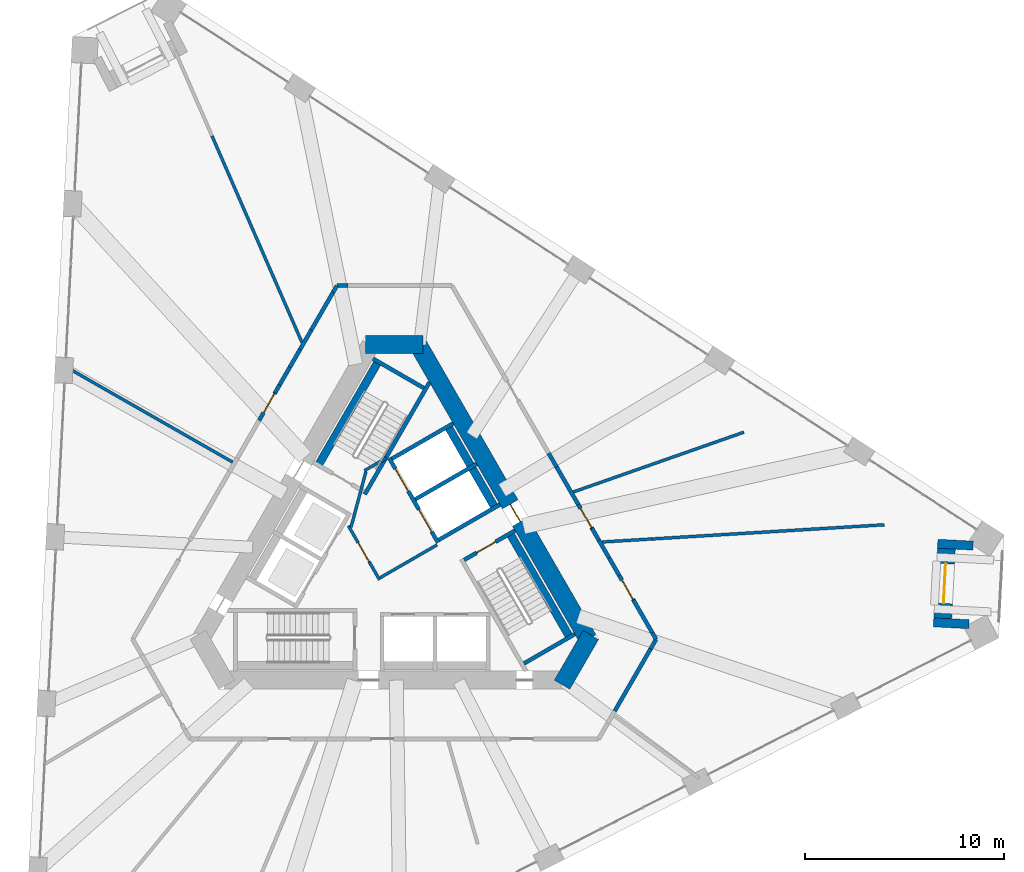
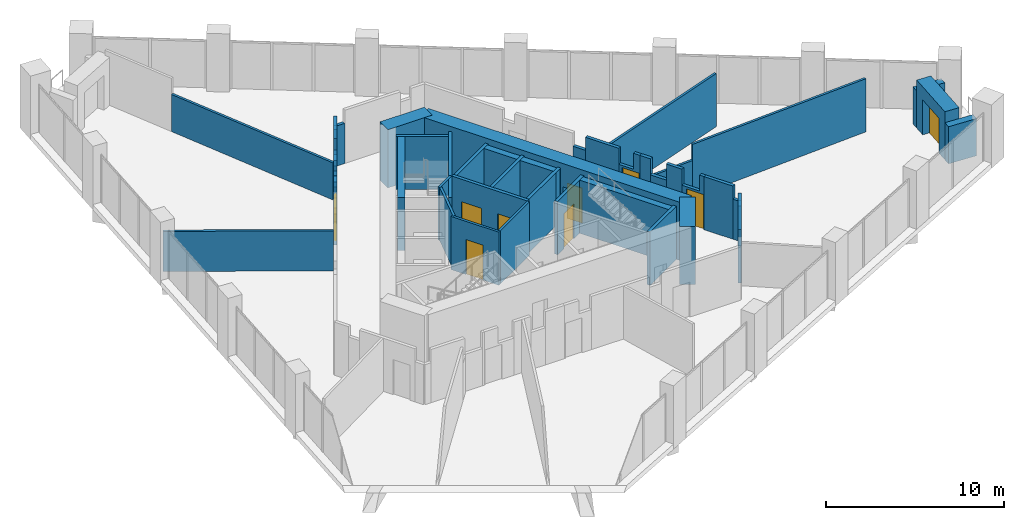
# One storey, part 13 of 18: 45 walls, 9 doors, 9 openings.
"""IFC4 building model written with IfcOpenShell, lengths in metres."""

from ifc_helpers import new_model, si_unit, direction, frame, frame_2d, origin, place, context, subcontext, project, spatial, polyline, rectangle, outline, extrude, material, layer, layer_set, type_object, element, fill, save


model = new_model("IFC4")

# Units and contexts
model_context = context("Model", 3, precision=1e-05, world=origin(), true_north=direction((0.0, 1.0)))
body_context = subcontext(model_context, "Body", "Model", "MODEL_VIEW")
ifc_project = project(units=[si_unit("LENGTHUNIT", "METRE"), si_unit("AREAUNIT", "SQUARE_METRE"), si_unit("VOLUMEUNIT", "CUBIC_METRE"), si_unit("PLANEANGLEUNIT", "RADIAN"), si_unit("MASSUNIT", "GRAM", prefix="KILO")], contexts=[model_context])

# Site, building, storey
site_placement = place(None, origin())
site = spatial("IfcSite", under=ifc_project, at=site_placement, CompositionType="ELEMENT")
building_placement = place(site_placement, origin())
building = spatial("IfcBuilding", under=site, at=building_placement, Name="Tramontana Tower", CompositionType="ELEMENT")
storey_placement = place(building_placement, frame((0.0, 0.0, 125.60009765625)))
storey = spatial("IfcBuildingStorey", under=building, at=storey_placement, Name="L28", CompositionType="ELEMENT", Elevation=125.60009765625)

# Walls
ifc_material_1 = material(Name="Concrete 70 MPa", Category="concrete")
ifc_layer_1 = layer(ifc_material_1, 0.89990234375)
ifc_layer_set_1 = layer_set([ifc_layer_1], Name="Core wall 900 70 MPa")
wall_type_1 = type_object("IfcWallType", Name="Core wall 900 70 MPa", PredefinedType="SHEAR", material=ifc_layer_set_1)
wall_1_placement = place(storey_placement, frame((1.443359375, 10.550048828125, 0.0), z_axis=(0.0, 0.0, 1.0), x_axis=(-1.0, 0.0, 0.0)))
element("IfcWall", 1, at=wall_1_placement, inside=storey, type_object=wall_type_1, Name="Core wall C0 L28", PredefinedType="SHEAR", context=body_context, shape_type="SweptSolid", body=[
    extrude(rectangle(XDim=2.88671875, YDim=0.89990234375, at=frame_2d((1.443359375, 0.0))), origin(), (0.0, 0.0, 1.0), 4.0),
])
wall_2_placement = place(storey_placement, frame((8.414794921875, -6.52490234375, 0.0), z_axis=(0.0, 0.0, 1.0), x_axis=(0.500059191753, 0.865991226713, 0.0)))
element("IfcWall", 2, at=wall_2_placement, inside=storey, type_object=wall_type_1, Name="Core wall C4 L28", PredefinedType="SHEAR", context=body_context, shape_type="SweptSolid", body=[
    extrude(rectangle(XDim=2.886962890625, YDim=0.89990234375, at=frame_2d((1.443359375, 0.0))), origin(), (0.0, 0.0, 1.0), 4.0),
])

# Wall, opening, door
wall_3_placement = place(storey_placement, frame((9.728515625, -4.25, 0.0), z_axis=(0.0, 0.0, 1.0), x_axis=(-0.500004814304, 0.866022624227, 0.0)))
wall_3 = element("IfcWall", 3, at=wall_3_placement, inside=storey, type_object=wall_type_1, Name="Core wall C5 L28", PredefinedType="SHEAR", context=body_context, shape_type="SweptSolid", body=[
    extrude(rectangle(XDim=17.089599609375, YDim=0.89990234375, at=frame_2d((8.544921875, 0.0))), origin(), (0.0, 0.0, 1.0), 4.0),
])
opening_1_placement = place(wall_3_placement, frame((6.81982421875, 0.0, 0.0)))
opening_1 = element("IfcOpeningElement", 4, at=opening_1_placement, cuts=wall_3, Name="Opening RG3", PredefinedType="OPENING", context=body_context, shape_type="SweptSolid", body=[
    extrude(rectangle(XDim=1.0, YDim=2.39990234375, at=frame_2d((0.5, 1.199951171875))), frame((0.0, 0.4599609375, 0.0), z_axis=(0.0, -1.0, 0.0), x_axis=(1.0, 0.0, 0.0)), (0.0, 0.0, 1.0), 0.919921875),
])
ifc_material_2 = material(Name="Painted steel", Category="steel")
door_type_1 = type_object("IfcDoorType", Name="RING DOOR 1000", OperationType="SINGLE_SWING_LEFT", PredefinedType="DOOR", material=ifc_material_2)
door_1_placement = place(opening_1_placement, origin())
door_1 = element("IfcDoor", 5, at=door_1_placement, inside=storey, type_object=door_type_1, Name="Door RG3", OperationType="SINGLE_SWING_RIGHT", OverallHeight=2.39990234375, OverallWidth=1.0, PredefinedType="DOOR", context=body_context, shape_type="SweptSolid", body=[
    extrude(rectangle(XDim=1.0, YDim=2.39990234375, at=frame_2d((0.5, 1.199951171875))), frame((0.0, 0.02490234375, 0.0), z_axis=(0.0, -1.0, 0.0), x_axis=(1.0, 0.0, 0.0)), (0.0, 0.0, 1.0), 0.050048828125),
])
fill(opening_1, door_1)

# Walls
ifc_material_3 = material(Name="Blockwork", Category="masonry")
ifc_layer_2 = layer(ifc_material_3, 0.199951171875)
ifc_layer_set_2 = layer_set([ifc_layer_2], Name="ENTRY WALL 200")
wall_type_2 = type_object("IfcWallType", Name="ENTRY WALL 200", PredefinedType="SOLIDWALL", material=ifc_layer_set_2)
wall_4_placement = place(storey_placement, frame((7.7421875, 5.090087890625, 0.0), z_axis=(0.0, 0.0, 1.0), x_axis=(0.500109828528, -0.865961984968, 0.0)))
element("IfcWall", 6, at=wall_4_placement, inside=storey, type_object=wall_type_2, Name="Wall ew0-3", PredefinedType="SOLIDWALL", context=body_context, shape_type="SweptSolid", body=[
    extrude(rectangle(XDim=0.800048828125, YDim=0.199951171875, at=frame_2d((0.39990234375, 0.0))), origin(), (0.0, 0.0, 1.0), 2.75),
])
wall_5_placement = place(storey_placement, frame((8.142333984375, 4.397216796875, 0.0), z_axis=(0.0, 0.0, 1.0), x_axis=(0.499948868167, -0.866054922749, 0.0)))
element("IfcWall", 7, at=wall_5_placement, inside=storey, type_object=wall_type_2, Name="Wall ew0-4", PredefinedType="SOLIDWALL", context=body_context, shape_type="SweptSolid", body=[
    extrude(rectangle(XDim=2.177978515625, YDim=0.199951171875, at=frame_2d((1.0888671875, 0.0))), origin(), (0.0, 0.0, 1.0), 3.64990234375),
])

# Wall, opening, door
wall_6_placement = place(storey_placement, frame((9.231201171875, 2.510986328125, 0.0), z_axis=(0.0, 0.0, 1.0), x_axis=(0.49998419723, -0.866034527326, 0.0)))
wall_6 = element("IfcWall", 8, at=wall_6_placement, inside=storey, type_object=wall_type_2, Name="Wall ew0-5", PredefinedType="SOLIDWALL", context=body_context, shape_type="SweptSolid", body=[
    extrude(outline(polyline([(0.0, 0.0), (1.37255859375, 0.0), (1.37255859375, 3.64990234375), (0.943603515625, 3.64990234375), (0.943603515625, 2.5498046875), (0.0, 2.5498046875), (0.0, 0.0)])), frame((0.0, 0.10009765625, 0.0), z_axis=(0.0, -1.0, 0.0), x_axis=(1.0, 0.0, 0.0)), (0.0, 0.0, 1.0), 0.199951171875),
])
opening_2_placement = place(wall_6_placement, frame((0.22265625, 0.0, 0.0)))
opening_2 = element("IfcOpeningElement", 9, at=opening_2_placement, cuts=wall_6, Name="Opening L28-09", PredefinedType="OPENING", context=body_context, shape_type="SweptSolid", body=[
    extrude(rectangle(XDim=1.10009765625, YDim=2.39990234375, at=frame_2d((0.550048828125, 1.199951171875))), frame((0.0, 0.10986328125, 0.0), z_axis=(0.0, -1.0, 0.0), x_axis=(1.0, 0.0, 0.0)), (0.0, 0.0, 1.0), 0.219970703125),
])
ifc_material_4 = material(Name="Painted timber", Category="wood")
door_type_2 = type_object("IfcDoorType", Name="DOOR ENTRY 1100", OperationType="SINGLE_SWING_LEFT", PredefinedType="DOOR", material=ifc_material_4)
door_2_placement = place(opening_2_placement, origin())
door_2 = element("IfcDoor", 10, at=door_2_placement, inside=storey, type_object=door_type_2, Name="Door L28-09", OperationType="SINGLE_SWING_LEFT", OverallHeight=2.39990234375, OverallWidth=1.10009765625, PredefinedType="DOOR", context=body_context, shape_type="SweptSolid", body=[
    extrude(rectangle(XDim=1.10009765625, YDim=2.39990234375, at=frame_2d((0.550048828125, 1.199951171875))), frame((0.0, 0.02490234375, 0.0), z_axis=(0.0, -1.0, 0.0), x_axis=(1.0, 0.0, 0.0)), (0.0, 0.0, 1.0), 0.050048828125),
])
fill(opening_2, door_2)

# Walls
wall_7_placement = place(storey_placement, frame((9.91748046875, 1.322265625, 0.0), z_axis=(0.0, 0.0, 1.0), x_axis=(0.500010383074, -0.866019409031, 0.0)))
element("IfcWall", 11, at=wall_7_placement, inside=storey, type_object=wall_type_2, Name="Wall ew0-6", PredefinedType="SOLIDWALL", context=body_context, shape_type="SweptSolid", body=[
    extrude(rectangle(XDim=0.68505859375, YDim=0.199951171875, at=frame_2d((0.342529296875, 0.0))), origin(), (0.0, 0.0, 1.0), 3.64990234375),
])
wall_8_placement = place(storey_placement, frame((10.260009765625, 0.72900390625, 0.0), z_axis=(0.0, 0.0, 1.0), x_axis=(0.499935808259, -0.866062461731, 0.0)))
element("IfcWall", 12, at=wall_8_placement, inside=storey, type_object=wall_type_2, Name="Wall ew0-7", PredefinedType="SOLIDWALL", context=body_context, shape_type="SweptSolid", body=[
    extrude(rectangle(XDim=1.023681640625, YDim=0.199951171875, at=frame_2d((0.51171875, 0.0))), origin(), (0.0, 0.0, 1.0), 2.5498046875),
])
wall_9_placement = place(storey_placement, frame((10.771728515625, -0.157470703125, 0.0), z_axis=(0.0, 0.0, 1.0), x_axis=(0.500170198676, -0.865927117231, 0.0)))
element("IfcWall", 13, at=wall_9_placement, inside=storey, type_object=wall_type_2, Name="Wall ew0-8", PredefinedType="SOLIDWALL", context=body_context, shape_type="SweptSolid", body=[
    extrude(rectangle(XDim=1.022705078125, YDim=0.199951171875, at=frame_2d((0.51123046875, 0.0))), origin(), (0.0, 0.0, 1.0), 3.64990234375),
])

# Wall, opening, door
wall_10_placement = place(storey_placement, frame((11.283203125, -1.04296875, 0.0), z_axis=(0.0, 0.0, 1.0), x_axis=(0.499885022602, -0.86609177584, 0.0)))
wall_10 = element("IfcWall", 14, at=wall_10_placement, inside=storey, type_object=wall_type_2, Name="Wall ew0-9", PredefinedType="SOLIDWALL", context=body_context, shape_type="SweptSolid", body=[
    extrude(outline(polyline([(0.0, 0.0), (1.429931640625, 0.0), (1.43017578125, 3.64990234375), (1.13525390625, 3.64990234375), (1.13525390625, 2.5498046875), (0.0, 2.5498046875), (0.0, 0.0)])), frame((0.0, 0.10009765625, 0.0), z_axis=(0.0, -1.0, 0.0), x_axis=(1.0, 0.0, 0.0)), (0.0, 0.0, 1.0), 0.199951171875),
])
opening_3_placement = place(wall_10_placement, frame((0.280029296875, 0.0, 0.0)))
opening_3 = element("IfcOpeningElement", 15, at=opening_3_placement, cuts=wall_10, Name="Opening L28-08", PredefinedType="OPENING", context=body_context, shape_type="SweptSolid", body=[
    extrude(rectangle(XDim=1.10009765625, YDim=2.39990234375, at=frame_2d((0.550048828125, 1.199951171875))), frame((0.0, 0.10986328125, 0.0), z_axis=(0.0, -1.0, 0.0), x_axis=(1.0, 0.0, 0.0)), (0.0, 0.0, 1.0), 0.219970703125),
])
door_3_placement = place(opening_3_placement, origin())
door_3 = element("IfcDoor", 16, at=door_3_placement, inside=storey, type_object=door_type_2, Name="Door L28-08", OperationType="SINGLE_SWING_RIGHT", OverallHeight=2.39990234375, OverallWidth=1.10009765625, PredefinedType="DOOR", context=body_context, shape_type="SweptSolid", body=[
    extrude(rectangle(XDim=1.10009765625, YDim=2.39990234375, at=frame_2d((0.550048828125, 1.199951171875))), frame((0.0, 0.02490234375, 0.0), z_axis=(0.0, -1.0, 0.0), x_axis=(1.0, 0.0, 0.0)), (0.0, 0.0, 1.0), 0.050048828125),
])
fill(opening_3, door_3)

# Walls
wall_11_placement = place(storey_placement, frame((11.998046875, -2.281494140625, 0.0), z_axis=(0.0, 0.0, 1.0), x_axis=(0.500111335238, -0.865961114812, 0.0)))
element("IfcWall", 17, at=wall_11_placement, inside=storey, type_object=wall_type_2, Name="Wall ew0-10", PredefinedType="SOLIDWALL", context=body_context, shape_type="SweptSolid", body=[
    extrude(rectangle(XDim=1.8837890625, YDim=0.199951171875, at=frame_2d((0.94189453125, 0.0))), origin(), (0.0, 0.0, 1.0), 3.64990234375),
])
wall_12_placement = place(storey_placement, frame((12.940185546875, -3.912841796875, 0.0), z_axis=(0.0, 0.0, 1.0), x_axis=(0.499849133735, -0.866112488944, 0.0)))
element("IfcWall", 18, at=wall_12_placement, inside=storey, type_object=wall_type_2, Name="Wall ew0-11", PredefinedType="SOLIDWALL", context=body_context, shape_type="SweptSolid", body=[
    extrude(rectangle(XDim=0.38916015625, YDim=0.199951171875, at=frame_2d((0.194580078125, 0.0))), origin(), (0.0, 0.0, 1.0), 2.75),
])
wall_13_placement = place(storey_placement, frame((13.134765625, -4.25, 0.0), z_axis=(0.0, 0.0, 1.0), x_axis=(-0.499887958344, -0.866090081402, 0.0)))
element("IfcWall", 19, at=wall_13_placement, inside=storey, type_object=wall_type_2, Name="Wall ew1-0", PredefinedType="SOLIDWALL", context=body_context, shape_type="SweptSolid", body=[
    extrude(rectangle(XDim=0.553466796875, YDim=0.199951171875, at=frame_2d((0.27685546875, 0.0))), origin(), (0.0, 0.0, 1.0), 2.75),
])
wall_14_placement = place(storey_placement, frame((12.858154296875, -4.729248046875, 0.0), z_axis=(0.0, 0.0, 1.0), x_axis=(-0.500031425827, -0.866007259314, 0.0)))
element("IfcWall", 20, at=wall_14_placement, inside=storey, type_object=wall_type_2, Name="Wall ew1-1", PredefinedType="SOLIDWALL", context=body_context, shape_type="SweptSolid", body=[
    extrude(rectangle(XDim=3.602294921875, YDim=0.199951171875, at=frame_2d((1.80126953125, 0.0))), origin(), (0.0, 0.0, 1.0), 3.64990234375),
])

# Wall, opening, door
wall_15_placement = place(storey_placement, frame((-6.790283203125, 6.739013671875, 0.0), z_axis=(0.0, 0.0, 1.0), x_axis=(0.500009674092, 0.866019818373, 0.0)))
wall_15 = element("IfcWall", 21, at=wall_15_placement, inside=storey, type_object=wall_type_2, Name="Wall ew4-5", PredefinedType="SOLIDWALL", context=body_context, shape_type="SweptSolid", body=[
    extrude(outline(polyline([(0.0, 0.0), (1.59423828125, 0.0), (1.593994140625, 3.64990234375), (0.943603515625, 3.64990234375), (0.943603515625, 2.5498046875), (0.0, 2.5498046875), (0.0, 0.0)])), frame((0.0, 0.10009765625, 0.0), z_axis=(0.0, -1.0, 0.0), x_axis=(1.0, 0.0, 0.0)), (0.0, 0.0, 1.0), 0.199951171875),
])
opening_4_placement = place(wall_15_placement, frame((0.444091796875, 0.0, 0.0)))
opening_4 = element("IfcOpeningElement", 22, at=opening_4_placement, cuts=wall_15, Name="Opening L28-02", PredefinedType="OPENING", context=body_context, shape_type="SweptSolid", body=[
    extrude(rectangle(XDim=1.10009765625, YDim=2.39990234375, at=frame_2d((0.550048828125, 1.199951171875))), frame((0.0, 0.10986328125, 0.0), z_axis=(0.0, -1.0, 0.0), x_axis=(1.0, 0.0, 0.0)), (0.0, 0.0, 1.0), 0.219970703125),
])
door_4_placement = place(opening_4_placement, origin())
door_4 = element("IfcDoor", 23, at=door_4_placement, inside=storey, type_object=door_type_2, Name="Door L28-02", OperationType="SINGLE_SWING_RIGHT", OverallHeight=2.39990234375, OverallWidth=1.10009765625, PredefinedType="DOOR", context=body_context, shape_type="SweptSolid", body=[
    extrude(rectangle(XDim=1.10009765625, YDim=2.39990234375, at=frame_2d((0.550048828125, 1.199951171875))), frame((0.0, 0.02490234375, 0.0), z_axis=(0.0, -1.0, 0.0), x_axis=(1.0, 0.0, 0.0)), (0.0, 0.0, 1.0), 0.050048828125),
])
fill(opening_4, door_4)

# Walls
wall_16_placement = place(storey_placement, frame((-5.9931640625, 8.11962890625, 0.0), z_axis=(0.0, 0.0, 1.0), x_axis=(0.499935264145, 0.866062775822, 0.0)))
element("IfcWall", 24, at=wall_16_placement, inside=storey, type_object=wall_type_2, Name="Wall ew4-6", PredefinedType="SOLIDWALL", context=body_context, shape_type="SweptSolid", body=[
    extrude(rectangle(XDim=0.46337890625, YDim=0.199951171875, at=frame_2d((0.231689453125, 0.0))), origin(), (0.0, 0.0, 1.0), 3.64990234375),
])
wall_17_placement = place(storey_placement, frame((-5.761474609375, 8.52099609375, 0.0), z_axis=(0.0, 0.0, 1.0), x_axis=(0.500114680815, 0.86595918266, 0.0)))
element("IfcWall", 25, at=wall_17_placement, inside=storey, type_object=wall_type_2, Name="Wall ew4-7", PredefinedType="SOLIDWALL", context=body_context, shape_type="SweptSolid", body=[
    extrude(rectangle(XDim=1.023681640625, YDim=0.199951171875, at=frame_2d((0.51171875, 0.0))), origin(), (0.0, 0.0, 1.0), 2.5498046875),
])
wall_18_placement = place(storey_placement, frame((-5.24951171875, 9.407470703125, 0.0), z_axis=(0.0, 0.0, 1.0), x_axis=(0.499991148707, 0.866030514021, 0.0)))
element("IfcWall", 26, at=wall_18_placement, inside=storey, type_object=wall_type_2, Name="Wall ew4-8", PredefinedType="SOLIDWALL", context=body_context, shape_type="SweptSolid", body=[
    extrude(rectangle(XDim=1.0224609375, YDim=0.199951171875, at=frame_2d((0.51123046875, 0.0))), origin(), (0.0, 0.0, 1.0), 3.64990234375),
])
wall_19_placement = place(storey_placement, frame((-4.73828125, 10.29296875, 0.0), z_axis=(0.0, 0.0, 1.0), x_axis=(0.500001688065, 0.866024429177, 0.0)))
element("IfcWall", 27, at=wall_19_placement, inside=storey, type_object=wall_type_2, Name="Wall ew4-9", PredefinedType="SOLIDWALL", context=body_context, shape_type="SweptSolid", body=[
    extrude(rectangle(XDim=1.13525390625, YDim=0.199951171875, at=frame_2d((0.567626953125, 0.0))), origin(), (0.0, 0.0, 1.0), 2.5498046875),
])
wall_20_placement = place(storey_placement, frame((-4.170654296875, 11.276123046875, 0.0), z_axis=(0.0, 0.0, 1.0), x_axis=(0.50001992892, 0.866013897511, 0.0)))
element("IfcWall", 28, at=wall_20_placement, inside=storey, type_object=wall_type_2, Name="Wall ew4-10", PredefinedType="SOLIDWALL", context=body_context, shape_type="SweptSolid", body=[
    extrude(rectangle(XDim=2.1787109375, YDim=0.199951171875, at=frame_2d((1.08935546875, 0.0))), origin(), (0.0, 0.0, 1.0), 3.64990234375),
])
wall_21_placement = place(storey_placement, frame((-3.081298828125, 13.162841796875, 0.0), z_axis=(0.0, 0.0, 1.0), x_axis=(0.499849133735, 0.866112488944, 0.0)))
element("IfcWall", 29, at=wall_21_placement, inside=storey, type_object=wall_type_2, Name="Wall ew4-11", PredefinedType="SOLIDWALL", context=body_context, shape_type="SweptSolid", body=[
    extrude(rectangle(XDim=0.38916015625, YDim=0.199951171875, at=frame_2d((0.194580078125, 0.0))), origin(), (0.0, 0.0, 1.0), 2.75),
])
wall_22_placement = place(storey_placement, frame((-2.88671875, 13.5, 0.0), z_axis=(0.0, 0.0, 1.0), x_axis=(1.0, 0.0, 0.0)))
element("IfcWall", 30, at=wall_22_placement, inside=storey, type_object=wall_type_2, Name="Wall ew5-0", PredefinedType="SOLIDWALL", context=body_context, shape_type="SweptSolid", body=[
    extrude(rectangle(XDim=0.55322265625, YDim=0.199951171875, at=frame_2d((0.276611328125, 0.0))), origin(), (0.0, 0.0, 1.0), 2.75),
])
ifc_material_5 = material(Name="Precast concrete 60 MPa", Category="concrete")
ifc_layer_3 = layer(ifc_material_5, 0.449951171875)
ifc_layer_set_3 = layer_set([ifc_layer_3], Name="Precast concrete 60 MPa, 450 mm")
wall_type_3 = type_object("IfcWallType", Name="EW1 Stone-faced precast wall 450", PredefinedType="SOLIDWALL", material=ifc_layer_set_3)
for number, where, z_axis, x_axis, name in (
    (31, (29.04296875, 0.45556640625, 0.0), (0.0, 0.0, 1.0), (-0.998625399692, 0.05241479839, 0.0), "Corner loggia side wall L28 K32l"),
    (32, (28.836181640625, -3.489013671875, 0.0), (0.0, 0.0, 1.0), (-0.998625399692, 0.05241479839, 0.0), "Corner loggia side wall L28 K32r"),
):
    element("IfcWall", number, at=place(storey_placement, frame(where, z_axis=z_axis, x_axis=x_axis)), inside=storey, type_object=wall_type_3, Name=name, PredefinedType="SOLIDWALL", context=body_context, shape_type="SweptSolid", body=[
        extrude(rectangle(XDim=1.779296875, YDim=0.449951171875, at=frame_2d((0.8896484375, 0.0))), origin(), (0.0, 0.0, 1.0), 2.5498046875),
    ])

# Wall, opening, door
ifc_material_6 = material(Name="Precast concrete 60 MPa", Category="concrete")
ifc_layer_4 = layer(ifc_material_6, 0.89990234375)
ifc_layer_set_4 = layer_set([ifc_layer_4], Name="EW2 Stone-faced corner loggia wall 900")
wall_type_4 = type_object("IfcWallType", Name="EW2 Stone-faced corner loggia wall 900", PredefinedType="SOLIDWALL", material=ifc_layer_set_4)
wall_23_placement = place(storey_placement, frame((27.70361328125, 0.300537109375, 0.0), z_axis=(0.0, 0.0, 1.0), x_axis=(-0.052317189757, -0.998630518088, 0.0)))
wall_23 = element("IfcWall", 33, at=wall_23_placement, inside=storey, type_object=wall_type_4, Name="Corner loggia wall L28 K32", PredefinedType="SOLIDWALL", context=body_context, shape_type="SweptSolid", body=[
    extrude(rectangle(XDim=3.5, YDim=0.89990234375, at=frame_2d((1.75, 0.0))), origin(), (0.0, 0.0, 1.0), 3.2998046875),
])
opening_5_placement = place(wall_23_placement, frame((0.75, 0.0, 0.0)))
opening_5 = element("IfcOpeningElement", 34, at=opening_5_placement, cuts=wall_23, Name="Opening BD-32C", PredefinedType="OPENING", context=body_context, shape_type="SweptSolid", body=[
    extrude(rectangle(XDim=2.0, YDim=2.39990234375, at=frame_2d((1.0, 1.199951171875))), frame((0.0, 0.4599609375, 0.0), z_axis=(0.0, -1.0, 0.0), x_axis=(1.0, 0.0, 0.0)), (0.0, 0.0, 1.0), 0.919921875),
])
ifc_material_7 = material(Name="Aluminum frame, double glazing unit", Category="aluminium")
door_type_3 = type_object("IfcDoorType", Name="BC1 Sliding door 2 x 2.4", OperationType="SLIDING_TO_LEFT", PredefinedType="DOOR", material=ifc_material_7)
door_5_placement = place(opening_5_placement, origin())
door_5 = element("IfcDoor", 35, at=door_5_placement, inside=storey, type_object=door_type_3, Name="Corner loggia door L28 K32", OperationType="SLIDING_TO_LEFT", OverallHeight=2.39990234375, OverallWidth=2.0, PredefinedType="DOOR", context=body_context, shape_type="SweptSolid", body=[
    extrude(rectangle(XDim=2.0, YDim=2.39990234375, at=frame_2d((1.0, 1.199951171875))), frame((0.0, 0.02490234375, 0.0), z_axis=(0.0, -1.0, 0.0), x_axis=(1.0, 0.0, 0.0)), (0.0, 0.0, 1.0), 0.050048828125),
])
fill(opening_5, door_5)

ifc_material_8 = material(Name="Gypsum board partition")
ifc_layer_5 = layer(ifc_material_8, 0.14990234375)
ifc_layer_set_5 = layer_set([ifc_layer_5], Name="PARTITION 150")
wall_type_5 = type_object("IfcWallType", Name="PARTITION 150", PredefinedType="PARTITIONING", material=ifc_layer_set_5)
wall_24_placement = place(storey_placement, frame((-0.744140625, -1.260986328125, 0.0), z_axis=(0.0, 0.0, 1.0), x_axis=(-0.500004234368, 0.866022959057, 0.0)))
wall_24 = element("IfcWall", 36, at=wall_24_placement, inside=storey, type_object=wall_type_5, Name="Wall ff-front", PredefinedType="PARTITIONING", context=body_context, shape_type="SweptSolid", body=[
    extrude(rectangle(XDim=3.125, YDim=0.14990234375, at=frame_2d((1.5625, 0.0))), origin(), (0.0, 0.0, 1.0), 3.64990234375),
])
opening_6_placement = place(wall_24_placement, frame((1.050048828125, 0.0, 0.0)))
opening_6 = element("IfcOpeningElement", 37, at=opening_6_placement, cuts=wall_24, Name="Opening FD1", PredefinedType="OPENING", context=body_context, shape_type="SweptSolid", body=[
    extrude(rectangle(XDim=1.10009765625, YDim=2.39990234375, at=frame_2d((0.550048828125, 1.199951171875))), frame((0.0, 0.0849609375, 0.0), z_axis=(0.0, -1.0, 0.0), x_axis=(1.0, 0.0, 0.0)), (0.0, 0.0, 1.0), 0.169921875),
])
door_6_placement = place(opening_6_placement, origin())
door_6 = element("IfcDoor", 38, at=door_6_placement, inside=storey, type_object=door_type_2, Name="Door FD1", OperationType="SINGLE_SWING_LEFT", OverallHeight=2.39990234375, OverallWidth=1.10009765625, PredefinedType="DOOR", context=body_context, shape_type="SweptSolid", body=[
    extrude(rectangle(XDim=1.10009765625, YDim=2.39990234375, at=frame_2d((0.550048828125, 1.199951171875))), frame((0.0, 0.02490234375, 0.0), z_axis=(0.0, -1.0, 0.0), x_axis=(1.0, 0.0, 0.0)), (0.0, 0.0, 1.0), 0.050048828125),
])
fill(opening_6, door_6)

# Walls
wall_25_placement = place(storey_placement, frame((-0.716796875, -1.15869140625, 0.0), z_axis=(0.0, 0.0, 1.0), x_axis=(0.866008176907, 0.50002983664, 0.0)))
element("IfcWall", 39, at=wall_25_placement, inside=storey, type_object=wall_type_5, Name="Wall ff-end0", PredefinedType="PARTITIONING", context=body_context, shape_type="SweptSolid", body=[
    extrude(rectangle(XDim=3.300048828125, YDim=0.14990234375, at=frame_2d((1.64990234375, 0.0))), origin(), (0.0, 0.0, 1.0), 3.64990234375),
])
wall_26_placement = place(storey_placement, frame((-2.177978515625, 1.372314453125, 0.0), z_axis=(0.0, 0.0, 1.0), x_axis=(0.258808958833, 0.96592852884, 0.0)))
element("IfcWall", 40, at=wall_26_placement, inside=storey, type_object=wall_type_5, Name="Wall ff-diag", PredefinedType="PARTITIONING", context=body_context, shape_type="SweptSolid", body=[
    extrude(rectangle(XDim=2.902587890625, YDim=0.14990234375, at=frame_2d((1.451171875, 0.0))), origin(), (0.0, 0.0, 1.0), 3.64990234375),
])
wall_27_placement = place(storey_placement, frame((-1.509765625, 4.21484375, 0.0), z_axis=(0.0, 0.0, 1.0), x_axis=(0.866085525409, 0.49989585183, 0.0)))
element("IfcWall", 41, at=wall_27_placement, inside=storey, type_object=wall_type_5, Name="Wall ff-end1", PredefinedType="PARTITIONING", context=body_context, shape_type="SweptSolid", body=[
    extrude(rectangle(XDim=1.300048828125, YDim=0.14990234375, at=frame_2d((0.64990234375, 0.0))), origin(), (0.0, 0.0, 1.0), 3.64990234375),
])
wall_28_placement = place(storey_placement, frame((-8.11669921875, 4.641357421875, 0.0), z_axis=(0.0, 0.0, 1.0), x_axis=(-0.868089906789, 0.496407004111, 0.0)))
element("IfcWall", 42, at=wall_28_placement, inside=storey, type_object=wall_type_5, Name="Wall fw-pw01-0", PredefinedType="PARTITIONING", context=body_context, shape_type="SweptSolid", body=[
    extrude(rectangle(XDim=9.611083984375, YDim=0.14990234375, at=frame_2d((4.8056640625, 0.0))), origin(), (0.0, 0.0, 1.0), 2.75),
])
wall_29_placement = place(storey_placement, frame((-4.642578125, 10.65869140625, 0.0), z_axis=(0.0, 0.0, 1.0), x_axis=(-0.399345585852, 0.916800470692, 0.0)))
element("IfcWall", 43, at=wall_29_placement, inside=storey, type_object=wall_type_5, Name="Wall fw-pw03-0", PredefinedType="PARTITIONING", context=body_context, shape_type="SweptSolid", body=[
    extrude(rectangle(XDim=11.296630859375, YDim=0.14990234375, at=frame_2d((5.6484375, 0.0))), origin(), (0.0, 0.0, 1.0), 2.5498046875),
])
wall_30_placement = place(storey_placement, frame((10.428955078125, 0.636474609375, 0.0), z_axis=(0.0, 0.0, 1.0), x_axis=(0.998147237078, 0.060844828165, 0.0)))
element("IfcWall", 44, at=wall_30_placement, inside=storey, type_object=wall_type_5, Name="Wall fw-pw06-0", PredefinedType="PARTITIONING", context=body_context, shape_type="SweptSolid", body=[
    extrude(rectangle(XDim=2.5078125, YDim=0.14990234375, at=frame_2d((1.25390625, 0.0))), origin(), (0.0, 0.0, 1.0), 2.5498046875),
])
wall_31_placement = place(storey_placement, frame((12.93212890625, 0.7890625, 0.0), z_axis=(0.0, 0.0, 1.0), x_axis=(0.998142962619, 0.060914909287, 0.0)))
element("IfcWall", 45, at=wall_31_placement, inside=storey, type_object=wall_type_5, Name="Wall fw-pw06-1", PredefinedType="PARTITIONING", context=body_context, shape_type="SweptSolid", body=[
    extrude(rectangle(XDim=11.675048828125, YDim=0.14990234375, at=frame_2d((5.83740234375, 0.0))), origin(), (0.0, 0.0, 1.0), 3.64990234375),
])
wall_32_placement = place(storey_placement, frame((17.54541015625, 6.1494140625, 0.0), z_axis=(0.0, 0.0, 1.0), x_axis=(-0.943716534822, -0.33075535053, 0.0)))
element("IfcWall", 46, at=wall_32_placement, inside=storey, type_object=wall_type_5, Name="Wall fw-pw08", PredefinedType="PARTITIONING", context=body_context, shape_type="SweptSolid", body=[
    extrude(rectangle(XDim=9.076904296875, YDim=0.14990234375, at=frame_2d((4.53857421875, 0.0))), origin(), (0.0, 0.0, 1.0), 3.64990234375),
])
ifc_material_9 = material(Name="Concrete 70 MPa", Category="concrete")
ifc_layer_6 = layer(ifc_material_9, 0.39990234375)
ifc_layer_set_6 = layer_set([ifc_layer_6], Name="Concrete 70 MPa, 400 mm")
wall_type_6 = type_object("IfcWallType", Name="RC SHAFT BACK WALL 400", PredefinedType="SOLIDWALL", material=ifc_layer_set_6)
for number, where, z_axis, x_axis, name in (
    (47, (-0.766357421875, 9.7724609375, 0.0), (0.0, 0.0, 1.0), (-0.500009909098, -0.866019682689, 0.0), "Wall st1-back"),
    (48, (8.846435546875, -4.222412109375, 0.0), (0.0, 0.0, 1.0), (-0.500009909098, 0.866019682689, 0.0), "Wall st3-back"),
):
    element("IfcWall", number, at=place(storey_placement, frame(where, z_axis=z_axis, x_axis=x_axis)), inside=storey, type_object=wall_type_6, Name=name, PredefinedType="SOLIDWALL", context=body_context, shape_type="SweptSolid", body=[
        extrude(rectangle(XDim=6.199951171875, YDim=0.39990234375, at=frame_2d((3.10009765625, 0.0))), origin(), (0.0, 0.0, 1.0), 3.64990234375),
    ])
wall_33_placement = place(storey_placement, frame((5.091552734375, 2.28125, 0.0), z_axis=(0.0, 0.0, 1.0), x_axis=(-0.500018594424, 0.866014668023, 0.0)))
element("IfcWall", 49, at=wall_33_placement, inside=storey, type_object=wall_type_6, Name="Wall row2-back", PredefinedType="SOLIDWALL", context=body_context, shape_type="SweptSolid", body=[
    extrude(rectangle(XDim=4.900146484375, YDim=0.39990234375, at=frame_2d((2.4501953125, 0.0))), origin(), (0.0, 0.0, 1.0), 3.64990234375),
])
ifc_material_10 = material(Name="Concrete 70 MPa", Category="concrete")
ifc_layer_7 = layer(ifc_material_10, 0.199951171875)
ifc_layer_set_7 = layer_set([ifc_layer_7], Name="Concrete 70 MPa, 200 mm")
wall_type_7 = type_object("IfcWallType", Name="RC STAIR AND SHAFT WALL 200", PredefinedType="SOLIDWALL", material=ifc_layer_set_7)
wall_34_placement = place(storey_placement, frame((1.760986328125, 8.64990234375, 0.0), z_axis=(0.0, 0.0, 1.0), x_axis=(-0.500010023241, -0.866019616786, 0.0)))
element("IfcWall", 50, at=wall_34_placement, inside=storey, type_object=wall_type_7, Name="Wall st1-front", PredefinedType="SOLIDWALL", context=body_context, shape_type="SweptSolid", body=[
    extrude(rectangle(XDim=6.491455078125, YDim=0.199951171875, at=frame_2d((3.24560546875, 0.0))), origin(), (0.0, 0.0, 1.0), 3.64990234375),
])
for number, where, z_axis, x_axis, name in (
    (51, (1.478515625, 8.36083984375, 0.0), (0.0, 0.0, 1.0), (-0.866003658127, 0.500037662692, 0.0), "Wall st1-far"),
    (52, (6.50146484375, -5.4609375, 0.0), (0.0, 0.0, 1.0), (0.866003658127, 0.500037662692, 0.0), "Wall st3-far"),
):
    element("IfcWall", number, at=place(storey_placement, frame(where, z_axis=z_axis, x_axis=x_axis)), inside=storey, type_object=wall_type_7, Name=name, PredefinedType="SOLIDWALL", context=body_context, shape_type="SweptSolid", body=[
        extrude(rectangle(XDim=2.949951171875, YDim=0.199951171875, at=frame_2d((1.47509765625, 0.0))), origin(), (0.0, 0.0, 1.0), 3.64990234375),
    ])

# Wall, opening, door
wall_35_placement = place(storey_placement, frame((3.50146484375, -0.2646484375, 0.0), z_axis=(0.0, 0.0, 1.0), x_axis=(0.866039495442, 0.49997559174, 0.0)))
wall_35 = element("IfcWall", 53, at=wall_35_placement, inside=storey, type_object=wall_type_7, Name="Wall st3-near", PredefinedType="SOLIDWALL", context=body_context, shape_type="SweptSolid", body=[
    extrude(rectangle(XDim=2.949951171875, YDim=0.199951171875, at=frame_2d((1.47509765625, 0.0))), origin(), (0.0, 0.0, 1.0), 3.64990234375),
])
opening_7_placement = place(wall_35_placement, frame((0.72509765625, 0.0, 0.0)))
opening_7 = element("IfcOpeningElement", 54, at=opening_7_placement, cuts=wall_35, Name="Opening SD3", PredefinedType="OPENING", context=body_context, shape_type="SweptSolid", body=[
    extrude(rectangle(XDim=1.10009765625, YDim=2.39990234375, at=frame_2d((0.550048828125, 1.199951171875))), frame((0.0, 0.10986328125, 0.0), z_axis=(0.0, -1.0, 0.0), x_axis=(1.0, 0.0, 0.0)), (0.0, 0.0, 1.0), 0.219970703125),
])
ifc_material_11 = material(Name="Painted steel", Category="steel")
door_type_4 = type_object("IfcDoorType", Name="STAIR DOOR 1100", OperationType="SINGLE_SWING_LEFT", PredefinedType="DOOR", material=ifc_material_11)
door_7_placement = place(opening_7_placement, origin())
door_7 = element("IfcDoor", 55, at=door_7_placement, inside=storey, type_object=door_type_4, Name="Door SD3", OperationType="SINGLE_SWING_RIGHT", OverallHeight=2.39990234375, OverallWidth=1.10009765625, PredefinedType="DOOR", context=body_context, shape_type="SweptSolid", body=[
    extrude(rectangle(XDim=1.10009765625, YDim=2.39990234375, at=frame_2d((0.550048828125, 1.199951171875))), frame((0.0, 0.02490234375, 0.0), z_axis=(0.0, -1.0, 0.0), x_axis=(1.0, 0.0, 0.0)), (0.0, 0.0, 1.0), 0.050048828125),
])
fill(opening_7, door_7)

# Wall, openings, doors
wall_36_placement = place(storey_placement, frame((2.190185546875, 0.6064453125, 0.0), z_axis=(0.0, 0.0, 1.0), x_axis=(-0.500002801628, 0.866023786258, 0.0)))
wall_36 = element("IfcWall", 56, at=wall_36_placement, inside=storey, type_object=wall_type_7, Name="Wall row2-front", PredefinedType="SOLIDWALL", context=body_context, shape_type="SweptSolid", body=[
    extrude(rectangle(XDim=4.89990234375, YDim=0.199951171875, at=frame_2d((2.449951171875, 0.0))), origin(), (0.0, 0.0, 1.0), 3.64990234375),
])
opening_8_placement = place(wall_36_placement, frame((0.625, 0.0, 0.0)))
opening_8 = element("IfcOpeningElement", 57, at=opening_8_placement, cuts=wall_36, Name="Opening LD-F1", PredefinedType="OPENING", context=body_context, shape_type="SweptSolid", body=[
    extrude(rectangle(XDim=1.300048828125, YDim=2.10009765625, at=frame_2d((0.64990234375, 1.050048828125))), frame((0.0, 0.10986328125, 0.0), z_axis=(0.0, -1.0, 0.0), x_axis=(1.0, 0.0, 0.0)), (0.0, 0.0, 1.0), 0.219970703125),
])
opening_9_placement = place(wall_36_placement, frame((2.97509765625, 0.0, 0.0)))
opening_9 = element("IfcOpeningElement", 58, at=opening_9_placement, cuts=wall_36, Name="Opening LD-F2", PredefinedType="OPENING", context=body_context, shape_type="SweptSolid", body=[
    extrude(rectangle(XDim=1.300048828125, YDim=2.10009765625, at=frame_2d((0.64990234375, 1.050048828125))), frame((0.0, 0.10986328125, 0.0), z_axis=(0.0, -1.0, 0.0), x_axis=(1.0, 0.0, 0.0)), (0.0, 0.0, 1.0), 0.219970703125),
])
ifc_material_12 = material(Name="Brushed steel", Category="steel")
door_type_5 = type_object("IfcDoorType", Name="LANDING DOOR 1300", OperationType="SINGLE_SWING_LEFT", PredefinedType="DOOR", material=ifc_material_12)
door_8_placement = place(opening_8_placement, origin())
door_8 = element("IfcDoor", 59, at=door_8_placement, inside=storey, type_object=door_type_5, Name="Door LD-F1", OperationType="SLIDING_TO_LEFT", OverallHeight=2.10009765625, OverallWidth=1.300048828125, PredefinedType="DOOR", context=body_context, shape_type="SweptSolid", body=[
    extrude(rectangle(XDim=1.300048828125, YDim=2.10009765625, at=frame_2d((0.64990234375, 1.050048828125))), frame((0.0, 0.02490234375, 0.0), z_axis=(0.0, -1.0, 0.0), x_axis=(1.0, 0.0, 0.0)), (0.0, 0.0, 1.0), 0.050048828125),
])
fill(opening_8, door_8)
door_9_placement = place(opening_9_placement, origin())
door_9 = element("IfcDoor", 60, at=door_9_placement, inside=storey, type_object=door_type_5, Name="Door LD-F2", OperationType="SLIDING_TO_RIGHT", OverallHeight=2.10009765625, OverallWidth=1.300048828125, PredefinedType="DOOR", context=body_context, shape_type="SweptSolid", body=[
    extrude(rectangle(XDim=1.300048828125, YDim=2.10009765625, at=frame_2d((0.64990234375, 1.050048828125))), frame((0.0, 0.02490234375, 0.0), z_axis=(0.0, -1.0, 0.0), x_axis=(1.0, 0.0, 0.0)), (0.0, 0.0, 1.0), 0.050048828125),
])
fill(opening_9, door_9)

# Walls
for number, where, z_axis, x_axis, name in (
    (61, (2.226806640625, 0.742919921875, 0.0), (0.0, 0.0, 1.0), (0.866012656725, 0.500022077904, 0.0), "Wall row2-side0"),
    (62, (1.0517578125, 2.778076171875, 0.0), (0.0, 0.0, 1.0), (0.866012656725, 0.500022077904, 0.0), "Wall row2-side1"),
):
    element("IfcWall", number, at=place(storey_placement, frame(where, z_axis=z_axis, x_axis=x_axis)), inside=storey, type_object=wall_type_7, Name=name, PredefinedType="SOLIDWALL", context=body_context, shape_type="SweptSolid", body=[
        extrude(rectangle(XDim=3.550048828125, YDim=0.199951171875, at=frame_2d((1.77490234375, 0.0))), origin(), (0.0, 0.0, 1.0), 3.64990234375),
    ])
wall_37_placement = place(storey_placement, frame((-0.123046875, 4.813232421875, 0.0), z_axis=(0.0, 0.0, 1.0), x_axis=(0.865995461329, 0.500051858269, 0.0)))
element("IfcWall", 63, at=wall_37_placement, inside=storey, type_object=wall_type_7, Name="Wall row2-side2", PredefinedType="SOLIDWALL", context=body_context, shape_type="SweptSolid", body=[
    extrude(rectangle(XDim=3.5498046875, YDim=0.199951171875, at=frame_2d((1.77490234375, 0.0))), origin(), (0.0, 0.0, 1.0), 3.64990234375),
])

save(model, "model.ifc")
